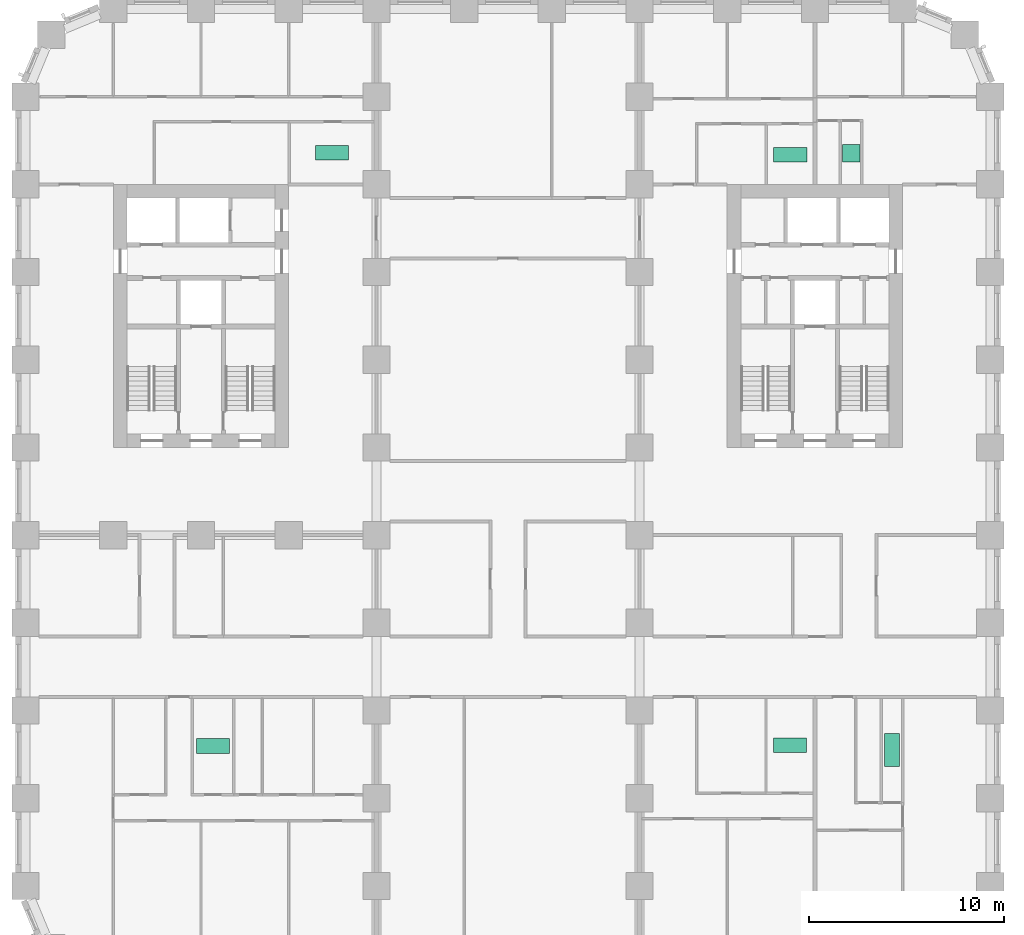
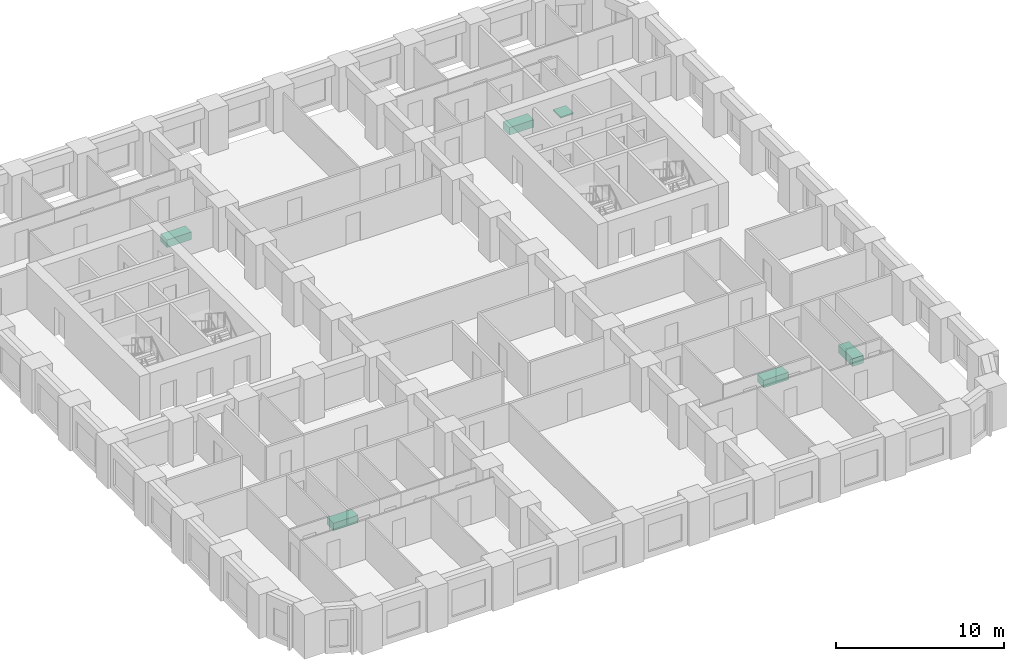
# One storey, part 12 of 12: 6 sanitary terminals.
"""IFC4 building model written with IfcOpenShell, lengths in metres."""

from ifc_helpers import new_model, si_unit, direction, frame, origin, origin_2d, place, context, subcontext, project, spatial, rectangle, extrude, material, type_object, element, save


model = new_model("IFC4")

# Units and contexts
model_context = context("Model", 3, precision=1e-05, world=origin(), true_north=direction((0.0, 1.0)))
body_context = subcontext(model_context, "Body", "Model", "MODEL_VIEW")
ifc_project = project(units=[si_unit("LENGTHUNIT", "METRE"), si_unit("AREAUNIT", "SQUARE_METRE"), si_unit("VOLUMEUNIT", "CUBIC_METRE"), si_unit("PLANEANGLEUNIT", "RADIAN"), si_unit("MASSUNIT", "GRAM", prefix="KILO")], contexts=[model_context])

# Site, building, storey
site_placement = place(None, origin())
site = spatial("IfcSite", under=ifc_project, at=site_placement, CompositionType="ELEMENT")
building_placement = place(site_placement, origin())
building = spatial("IfcBuilding", under=site, at=building_placement, Name="Girih Gate Residences", CompositionType="ELEMENT")
storey_placement = place(building_placement, frame((0.0, 0.0, 62.39990234375)))
storey = spatial("IfcBuildingStorey", under=building, at=storey_placement, Name="L16", CompositionType="ELEMENT", Elevation=62.39990234375)

# Sanitary terminals
ifc_material = material(Name="Acrylic")
sanitary_terminal_type_1 = type_object("IfcSanitaryTerminalType", Name="Bath 1700", PredefinedType="BATH", material=ifc_material)
for number, where, z_axis, x_axis, name in (
    (1, (9.616943359375, 11.68408203125, 0.0), (0.0, 0.0, 1.0), (1.0, 0.0, 0.0), "Bath 1700 L16"),
    (2, (15.72802734375, 42.115966796875, 0.0), (0.0, 0.0, 1.0), (1.0, 0.0, 0.0), "Bath 1700 L16"),
):
    element("IfcSanitaryTerminal", number, at=place(storey_placement, frame(where, z_axis=z_axis, x_axis=x_axis)), inside=storey, type_object=sanitary_terminal_type_1, Name=name, PredefinedType="BATH", context=body_context, shape_type="SweptSolid", body=[
        extrude(rectangle(XDim=1.699951171875, YDim=0.75, at=origin_2d()), origin(), (0.0, 0.0, 1.0), 0.550048828125),
    ])
sanitary_terminal_1_placement = place(storey_placement, frame((44.4541015625, 11.48388671875, 0.0), z_axis=(0.0, 0.0, 1.0), x_axis=(1.0, 0.0, 0.0)))
element("IfcSanitaryTerminal", 3, at=sanitary_terminal_1_placement, inside=storey, type_object=sanitary_terminal_type_1, Name="Bath 1700 L16", PredefinedType="BATH", context=body_context, shape_type="SweptSolid", body=[
    extrude(rectangle(XDim=0.75, YDim=1.699951171875, at=origin_2d()), origin(), (0.0, 0.0, 1.0), 0.550048828125),
])
for number, where, z_axis, x_axis, name in (
    (4, (39.22509765625, 11.72412109375, 0.0), (0.0, 0.0, 1.0), (1.0, 0.0, 0.0), "Bath 1700 L16"),
    (5, (39.23095703125, 42.02392578125, 0.0), (0.0, 0.0, 1.0), (1.0, 0.0, 0.0), "Bath 1700 L16"),
):
    element("IfcSanitaryTerminal", number, at=place(storey_placement, frame(where, z_axis=z_axis, x_axis=x_axis)), inside=storey, type_object=sanitary_terminal_type_1, Name=name, PredefinedType="BATH", context=body_context, shape_type="SweptSolid", body=[
        extrude(rectangle(XDim=1.699951171875, YDim=0.75, at=origin_2d()), origin(), (0.0, 0.0, 1.0), 0.550048828125),
    ])
sanitary_terminal_type_2 = type_object("IfcSanitaryTerminalType", Name="Shower tray 900", PredefinedType="SHOWER", material=ifc_material)
sanitary_terminal_2_placement = place(storey_placement, frame((42.35498046875, 42.09912109375, 0.0), z_axis=(0.0, 0.0, 1.0), x_axis=(1.0, 0.0, 0.0)))
element("IfcSanitaryTerminal", 6, at=sanitary_terminal_2_placement, inside=storey, type_object=sanitary_terminal_type_2, Name="Shower tray 900 L16", PredefinedType="SHOWER", context=body_context, shape_type="SweptSolid", body=[
    extrude(rectangle(XDim=0.89990234375, YDim=0.89990234375, at=origin_2d()), origin(), (0.0, 0.0, 1.0), 0.10009765625),
])

save(model, "model.ifc")
